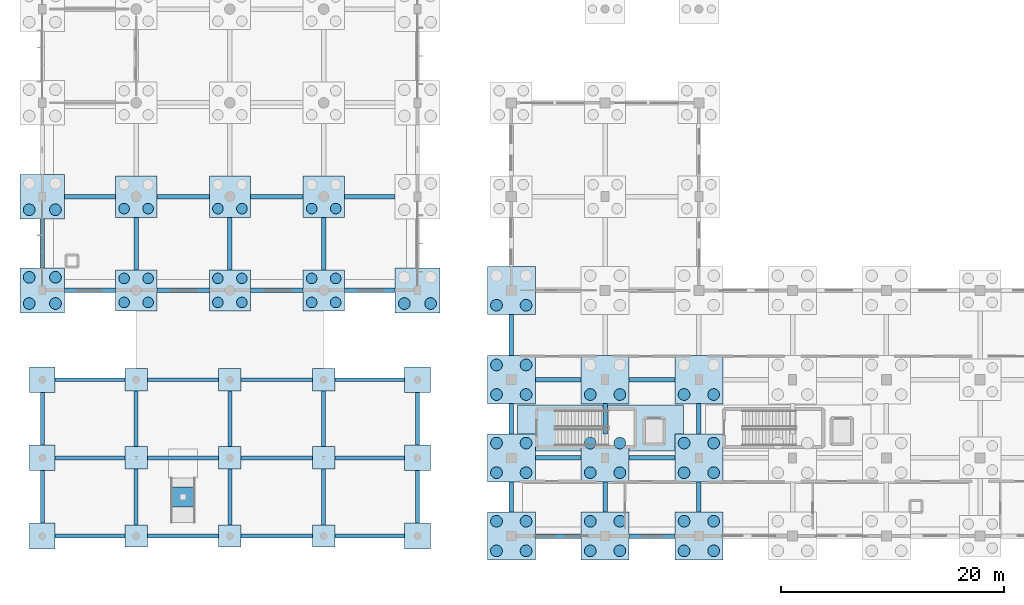
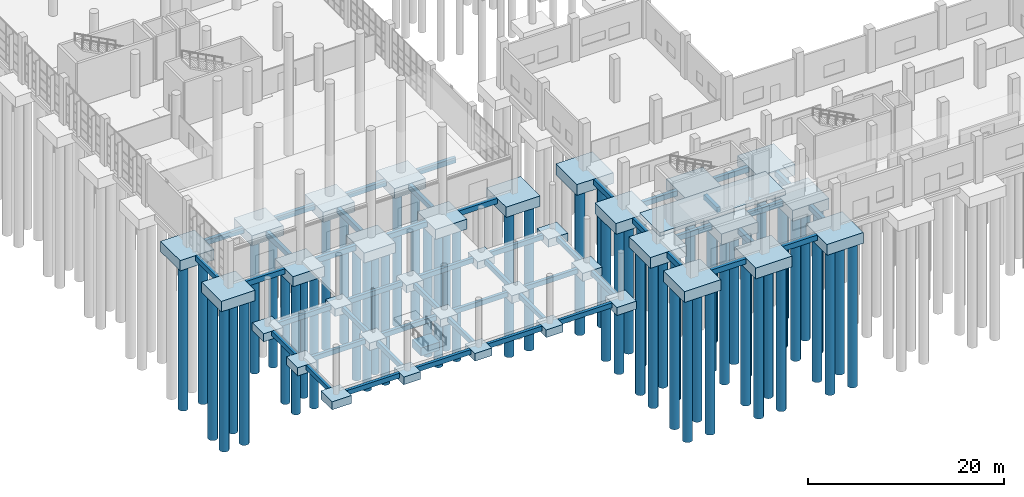
# One storey, part 1 of 83: 83 footings, 60 piles.
"""IFC4 building model written with IfcOpenShell, lengths in metres."""

import ifcopenshell
import ifcopenshell.guid

model = None  # the IFC model being written
_history = None  # IfcOwnerHistory: only IFC2X3 demands one
_inside = {}  # id of a spatial element -> (the spatial element, [elements in it])
_under = {}  # id of a project, library or spatial element -> (it, [spatial elements below it])
_declared = {}  # id of a project -> (the project, [libraries it declares])
_typed = {}  # id of a type object -> (the type object, [elements of that type])
_made_of = {}  # id of a material, layer set ... -> (it, [elements and type objects made of it])


def new_model(schema):
    """Start an empty IFC model of exactly this schema.

    Asked for "IFC4X3", IfcOpenShell would pick the latest addendum, in which some entities
    have other attributes; the version numbers below select the first issue.
    IFC2X3 requires an IfcOwnerHistory on every rooted entity: one is made here for all.
    """
    global model, _history
    if schema == "IFC4X3":
        model = ifcopenshell.file(schema_version=(4, 3, 0, 0))
    else:
        model = ifcopenshell.file(schema=schema)
    _inside.clear()
    _under.clear()
    _declared.clear()
    _typed.clear()
    _made_of.clear()
    _history = None
    if model.schema == "IFC2X3":
        org = make("IfcOrganization", Name="unknown")
        user = make(
            "IfcPersonAndOrganization",
            ThePerson=make("IfcPerson", FamilyName="unknown"),
            TheOrganization=org,
        )
        app = make(
            "IfcApplication",
            ApplicationDeveloper=org,
            Version="unknown",
            ApplicationFullName="unknown",
            ApplicationIdentifier="unknown",
        )
        _history = make(
            "IfcOwnerHistory",
            OwningUser=user,
            OwningApplication=app,
            ChangeAction="ADDED",
            CreationDate=0,
        )
    return model


def make(cls, **values):
    """One entity of the class cls with the attributes given. An attribute that is None is left unset."""
    return model.create_entity(
        cls, **{name: value for name, value in values.items() if value is not None}
    )


def rooted(cls, **values):
    """An entity with a GlobalId (a new one), such as an element, a storey or a relation."""
    return make(cls, GlobalId=ifcopenshell.guid.new(), OwnerHistory=_history, **values)


def si_unit(unit_type, name, prefix=None):
    """IfcSIUnit, for example si_unit("LENGTHUNIT", "METRE", prefix="MILLI")."""
    return make("IfcSIUnit", UnitType=unit_type, Prefix=prefix, Name=name)


def assignment(units):
    """IfcUnitAssignment: the units of a project."""
    return None if units is None else make("IfcUnitAssignment", Units=units)


def point(xyz):
    """IfcCartesianPoint."""
    return None if xyz is None else make("IfcCartesianPoint", Coordinates=xyz)


def direction(xyz):
    """IfcDirection."""
    return None if xyz is None else make("IfcDirection", DirectionRatios=xyz)


def frame(location, z_axis=None, x_axis=None):
    """IfcAxis2Placement3D, a coordinate frame: its origin and axes. An axis left out is left unset."""
    return make(
        "IfcAxis2Placement3D",
        Location=point(location),
        Axis=direction(z_axis),
        RefDirection=direction(x_axis),
    )


def frame_2d(location, x_axis=None):
    """IfcAxis2Placement2D, a coordinate frame in the plane: its origin and x axis."""
    return make(
        "IfcAxis2Placement2D", Location=point(location), RefDirection=direction(x_axis)
    )


def origin():
    """The frame at (0, 0, 0) with its axes left unset."""
    return frame((0.0, 0.0, 0.0))


def origin_2d():
    """The frame at (0, 0) in the plane with its x axis left unset."""
    return frame_2d((0.0, 0.0))


def place(relative_to, where):
    """IfcLocalPlacement: puts the frame where relative to a parent placement (None: the world)."""
    return make(
        "IfcLocalPlacement", PlacementRelTo=relative_to, RelativePlacement=where
    )


def context(
    kind, dimensions, precision=None, world=None, true_north=None, identifier=None
):
    """IfcGeometricRepresentationContext, for example the 3D "Model" context."""
    return make(
        "IfcGeometricRepresentationContext",
        ContextIdentifier=identifier,
        ContextType=kind,
        CoordinateSpaceDimension=dimensions,
        Precision=precision,
        WorldCoordinateSystem=world,
        TrueNorth=true_north,
    )


def subcontext(parent, identifier, kind, view, scale=None):
    """IfcGeometricRepresentationSubContext, for example "Body" below "Model"."""
    return make(
        "IfcGeometricRepresentationSubContext",
        ContextIdentifier=identifier,
        ContextType=kind,
        ParentContext=parent,
        TargetScale=scale,
        TargetView=view,
    )


def project(units=None, contexts=None):
    """IfcProject with its units and contexts."""
    return rooted(
        "IfcProject",
        Name="project",
        RepresentationContexts=contexts,
        UnitsInContext=assignment(units),
    )


def spatial(cls, under=None, at=None, **own):
    """A site, building, storey or space (cls), placed at a placement, below another one or the project."""
    s = rooted(cls, ObjectPlacement=at, **own)
    if under is not None:
        _under.setdefault(under.id(), (under, []))[1].append(s)
    return s


def profile(cls, at=None, kind="AREA", **sizes):
    """A parametric profile (cls). Its sizes go by their IFC names, for example OverallWidth=200.0."""
    return make(cls, ProfileType=kind, Position=at, **sizes)


def rectangle(**sizes):
    """IfcRectangleProfileDef."""
    return profile("IfcRectangleProfileDef", **sizes)


def circle(**sizes):
    """IfcCircleProfileDef."""
    return profile("IfcCircleProfileDef", **sizes)


def extrude(swept, where, along, depth):
    """IfcExtrudedAreaSolid: the profile swept, set in the frame where, extruded along a direction by depth."""
    return make(
        "IfcExtrudedAreaSolid",
        SweptArea=swept,
        Position=where,
        ExtrudedDirection=direction(along),
        Depth=depth,
    )


def shape(context_of_items, identifier, shape_type, items):
    """IfcShapeRepresentation: the items that make up one representation, for example the "Body"."""
    return make(
        "IfcShapeRepresentation",
        ContextOfItems=context_of_items,
        RepresentationIdentifier=identifier,
        RepresentationType=shape_type,
        Items=items,
    )


def material(Name=None, Category=None):
    """IfcMaterial."""
    return make("IfcMaterial", Name=Name, Category=Category)


def material_profile(
    of_material, cross_section, Name=None, Category=None, Priority=None
):
    """IfcMaterialProfile: a cross section and its material."""
    return make(
        "IfcMaterialProfile",
        Name=Name,
        Material=of_material,
        Profile=cross_section,
        Priority=Priority,
        Category=Category,
    )


def profile_set(profiles, Name=None, composite=None):
    """IfcMaterialProfileSet."""
    return make(
        "IfcMaterialProfileSet",
        Name=Name,
        MaterialProfiles=profiles,
        CompositeProfile=composite,
    )


def made_of(thing, what):
    """Note that an element or type object is made of a material, layer set ...; save() writes the relation."""
    if what is not None:
        _made_of.setdefault(what.id(), (what, []))[1].append(thing)
    return thing


def type_object(cls, material=None, **own):
    """A type object (cls), such as IfcWallType, which elements share."""
    return made_of(rooted(cls, **own), material)


def element(
    cls,
    number,
    at=None,
    inside=None,
    cuts=None,
    type_object=None,
    material=None,
    context=None,
    identifier="Body",
    shape_type=None,
    held_by="IfcProductDefinitionShape",
    body=None,
    shapes=None,
    **own,
):
    """One element of the class cls, such as IfcWall. Its Tag is "e" and its number.

    at: its placement. inside: the storey or other place that contains it. cuts: it is an
    opening in that element (IfcRelVoidsElement). A single representation is given by context,
    identifier, shape_type and body (its items); several are given by shapes. held_by: the class
    of the entity that holds the representations. save() writes the other relations.
    """
    e = rooted(cls, Tag="e%d" % number, ObjectPlacement=at, **own)
    if body is not None:
        shapes = [shape(context, identifier, shape_type, body)]
    if shapes is not None:
        e.Representation = make(held_by, Representations=shapes)
    if inside is not None:
        _inside.setdefault(inside.id(), (inside, []))[1].append(e)
    if cuts is not None:
        rooted(
            "IfcRelVoidsElement", RelatingBuildingElement=cuts, RelatedOpeningElement=e
        )
    if type_object is not None:
        _typed.setdefault(type_object.id(), (type_object, []))[1].append(e)
    return made_of(e, material)


def aggregate(whole, parts):
    """IfcRelAggregates: a whole, such as a stair, and the parts it consists of."""
    return rooted("IfcRelAggregates", RelatingObject=whole, RelatedObjects=parts)


def save(model, path):
    """Write the relations noted so far, then the file.

    IfcRelAggregates (storeys below a building ...), IfcRelContainedInSpatialStructure (elements
    in a storey), IfcRelDefinesByType, IfcRelAssociatesMaterial and IfcRelDeclares: one each for
    every whole, place, type object, material and project.
    """
    for whole, parts in _under.values():
        aggregate(whole, parts)
    for where, things in _inside.values():
        rooted(
            "IfcRelContainedInSpatialStructure",
            RelatedElements=things,
            RelatingStructure=where,
        )
    for kind, things in _typed.values():
        rooted("IfcRelDefinesByType", RelatedObjects=things, RelatingType=kind)
    for what, things in _made_of.values():
        rooted("IfcRelAssociatesMaterial", RelatedObjects=things, RelatingMaterial=what)
    for by, libraries in _declared.values():
        rooted("IfcRelDeclares", RelatingContext=by, RelatedDefinitions=libraries)
    model.write(path)


model = new_model("IFC4")

# Units and contexts
model_context = context("Model", 3, precision=1e-05, world=origin(), true_north=direction((0.0, 1.0)))
body_context = subcontext(model_context, "Body", "Model", "MODEL_VIEW")
ifc_project = project(units=[si_unit("LENGTHUNIT", "METRE"), si_unit("AREAUNIT", "SQUARE_METRE"), si_unit("VOLUMEUNIT", "CUBIC_METRE"), si_unit("PLANEANGLEUNIT", "RADIAN"), si_unit("MASSUNIT", "GRAM", prefix="KILO"), si_unit("THERMODYNAMICTEMPERATUREUNIT", "KELVIN"), si_unit("POWERUNIT", "WATT")], contexts=[model_context])

# Site, building, storey
site_placement = place(None, origin())
site = spatial("IfcSite", under=ifc_project, at=site_placement, CompositionType="ELEMENT")
building_placement = place(site_placement, origin())
building = spatial("IfcBuilding", under=site, at=building_placement, Name="Mavoryth Pier Ferry Terminal", CompositionType="ELEMENT")
storey_placement = place(building_placement, origin())
storey = spatial("IfcBuildingStorey", under=building, at=storey_placement, Name="L00", CompositionType="ELEMENT", Elevation=0.0)

# Footings
ifc_material = material(Name="Concrete C35/45", Category="concrete")
footing_type_1 = type_object("IfcFootingType", Name="Cap-4P-3700x3700x1250", PredefinedType="PILE_CAP", material=ifc_material)
for number, where, z_axis, x_axis, name in (
    (1, (8.39990234375, 22.0, -1.7099609375), (0.0, 0.0, 1.0), (1.0, 0.0, 0.0), "Foundation FD-V1-2-1"),
    (2, (8.39990234375, 30.39990234375, -1.7099609375), (0.0, 0.0, 1.0), (1.0, 0.0, 0.0), "Foundation FD-V1-2-2"),
    (3, (16.800048828125, 22.0, -1.7099609375), (0.0, 0.0, 1.0), (1.0, 0.0, 0.0), "Foundation FD-V1-3-1"),
    (4, (16.800048828125, 30.39990234375, -1.7099609375), (0.0, 0.0, 1.0), (1.0, 0.0, 0.0), "Foundation FD-V1-3-2"),
    (5, (25.199951171875, 22.0, -1.7099609375), (0.0, 0.0, 1.0), (1.0, 0.0, 0.0), "Foundation FD-V1-4-1"),
    (6, (25.199951171875, 30.39990234375, -1.7099609375), (0.0, 0.0, 1.0), (1.0, 0.0, 0.0), "Foundation FD-V1-4-2"),
):
    element("IfcFooting", number, at=place(storey_placement, frame(where, z_axis=z_axis, x_axis=x_axis)), inside=storey, type_object=footing_type_1, Name=name, PredefinedType="PILE_CAP", context=body_context, shape_type="SweptSolid", body=[
        extrude(rectangle(XDim=3.699951171875, YDim=3.699951171875, at=origin_2d()), origin(), (0.0, 0.0, 1.0), 1.25),
    ])
footing_type_2 = type_object("IfcFootingType", Name="Cap-4P-4000x4000x1300", PredefinedType="PILE_CAP", material=ifc_material)
for number, where, z_axis, x_axis, name in (
    (7, (0.0, 22.0, -1.76025390625), (0.0, 0.0, 1.0), (1.0, 0.0, 0.0), "Foundation FD-V1-1-1"),
    (8, (0.0, 30.39990234375, -1.76025390625), (0.0, 0.0, 1.0), (1.0, 0.0, 0.0), "Foundation FD-V1-1-2"),
    (9, (33.60009765625, 22.0, -1.76025390625), (0.0, 0.0, 1.0), (1.0, 0.0, 0.0), "Foundation FD-V1-5-1"),
):
    element("IfcFooting", number, at=place(storey_placement, frame(where, z_axis=z_axis, x_axis=x_axis)), inside=storey, type_object=footing_type_2, Name=name, PredefinedType="PILE_CAP", context=body_context, shape_type="SweptSolid", body=[
        extrude(rectangle(XDim=4.0, YDim=4.0, at=origin_2d()), origin(), (0.0, 0.0, 1.0), 1.300048828125),
    ])
footing_type_3 = type_object("IfcFootingType", Name="Cap-4P-4300x4300x1350", PredefinedType="PILE_CAP", material=ifc_material)
for number, where, z_axis, x_axis, name in (
    (10, (42.0, 0.0, -1.81005859375), (0.0, 0.0, 1.0), (1.0, 0.0, 0.0), "Foundation FD-V5-01"),
    (11, (42.0, 7.0, -1.81005859375), (0.0, 0.0, 1.0), (1.0, 0.0, 0.0), "Foundation FD-V5-02"),
    (12, (42.0, 14.0, -1.81005859375), (0.0, 0.0, 1.0), (1.0, 0.0, 0.0), "Foundation FD-V5-03"),
    (13, (42.0, 22.0, -1.81005859375), (0.0, 0.0, 1.0), (1.0, 0.0, 0.0), "Foundation FD-V5-04"),
    (14, (50.39990234375, 0.0, -1.81005859375), (0.0, 0.0, 1.0), (1.0, 0.0, 0.0), "Foundation FD-V5-05"),
    (15, (50.39990234375, 7.0, -1.81005859375), (0.0, 0.0, 1.0), (1.0, 0.0, 0.0), "Foundation FD-V5-06"),
    (16, (50.39990234375, 14.0, -1.81005859375), (0.0, 0.0, 1.0), (1.0, 0.0, 0.0), "Foundation FD-V5-07"),
    (17, (58.800048828125, 0.0, -1.81005859375), (0.0, 0.0, 1.0), (1.0, 0.0, 0.0), "Foundation FD-V5-09"),
    (18, (58.800048828125, 7.0, -1.81005859375), (0.0, 0.0, 1.0), (1.0, 0.0, 0.0), "Foundation FD-V5-10"),
    (19, (58.800048828125, 14.0, -1.81005859375), (0.0, 0.0, 1.0), (1.0, 0.0, 0.0), "Foundation FD-V5-11"),
):
    element("IfcFooting", number, at=place(storey_placement, frame(where, z_axis=z_axis, x_axis=x_axis)), inside=storey, type_object=footing_type_3, Name=name, PredefinedType="PILE_CAP", context=body_context, shape_type="SweptSolid", body=[
        extrude(rectangle(XDim=4.300048828125, YDim=4.300048828125, at=origin_2d()), origin(), (0.0, 0.0, 1.0), 1.35009765625),
    ])
footing_type_4 = type_object("IfcFootingType", Name="Pad-Canopy-2000x2000x950", PredefinedType="PAD_FOOTING", material=ifc_material)
for number, where, z_axis, x_axis, name in (
    (20, (8.39990234375, 0.0, -1.41015625), (0.0, 0.0, 1.0), (1.0, 0.0, 0.0), "Foundation FD-V0-2-1"),
    (21, (8.39990234375, 7.0, -1.41015625), (0.0, 0.0, 1.0), (1.0, 0.0, 0.0), "Foundation FD-V0-2-2"),
    (22, (8.39990234375, 14.0, -1.41015625), (0.0, 0.0, 1.0), (1.0, 0.0, 0.0), "Foundation FD-V0-2-3"),
    (23, (16.800048828125, 0.0, -1.41015625), (0.0, 0.0, 1.0), (1.0, 0.0, 0.0), "Foundation FD-V0-3-1"),
    (24, (16.800048828125, 7.0, -1.41015625), (0.0, 0.0, 1.0), (1.0, 0.0, 0.0), "Foundation FD-V0-3-2"),
    (25, (16.800048828125, 14.0, -1.41015625), (0.0, 0.0, 1.0), (1.0, 0.0, 0.0), "Foundation FD-V0-3-3"),
    (26, (25.199951171875, 0.0, -1.41015625), (0.0, 0.0, 1.0), (1.0, 0.0, 0.0), "Foundation FD-V0-4-1"),
    (27, (25.199951171875, 7.0, -1.41015625), (0.0, 0.0, 1.0), (1.0, 0.0, 0.0), "Foundation FD-V0-4-2"),
    (28, (25.199951171875, 14.0, -1.41015625), (0.0, 0.0, 1.0), (1.0, 0.0, 0.0), "Foundation FD-V0-4-3"),
):
    element("IfcFooting", number, at=place(storey_placement, frame(where, z_axis=z_axis, x_axis=x_axis)), inside=storey, type_object=footing_type_4, Name=name, PredefinedType="PAD_FOOTING", context=body_context, shape_type="SweptSolid", body=[
        extrude(rectangle(XDim=2.0, YDim=2.0, at=origin_2d()), origin(), (0.0, 0.0, 1.0), 0.949951171875),
    ])
footing_type_5 = type_object("IfcFootingType", Name="Pad-Canopy-2300x2300x1000", PredefinedType="PAD_FOOTING", material=ifc_material)
for number, where, z_axis, x_axis, name in (
    (29, (0.0, 0.0, -1.4599609375), (0.0, 0.0, 1.0), (1.0, 0.0, 0.0), "Foundation FD-V0-1-1"),
    (30, (0.0, 7.0, -1.4599609375), (0.0, 0.0, 1.0), (1.0, 0.0, 0.0), "Foundation FD-V0-1-2"),
    (31, (0.0, 14.0, -1.4599609375), (0.0, 0.0, 1.0), (1.0, 0.0, 0.0), "Foundation FD-V0-1-3"),
    (32, (33.60009765625, 0.0, -1.4599609375), (0.0, 0.0, 1.0), (1.0, 0.0, 0.0), "Foundation FD-V0-5-1"),
    (33, (33.60009765625, 7.0, -1.4599609375), (0.0, 0.0, 1.0), (1.0, 0.0, 0.0), "Foundation FD-V0-5-2"),
    (34, (33.60009765625, 14.0, -1.4599609375), (0.0, 0.0, 1.0), (1.0, 0.0, 0.0), "Foundation FD-V0-5-3"),
):
    element("IfcFooting", number, at=place(storey_placement, frame(where, z_axis=z_axis, x_axis=x_axis)), inside=storey, type_object=footing_type_5, Name=name, PredefinedType="PAD_FOOTING", context=body_context, shape_type="SweptSolid", body=[
        extrude(rectangle(XDim=2.300048828125, YDim=2.300048828125, at=origin_2d()), origin(), (0.0, 0.0, 1.0), 1.0),
    ])
footing_type_6 = type_object("IfcFootingType", Name="Pad-CoreMat-14840x4100x460", PredefinedType="PAD_FOOTING", material=ifc_material)
footing_1_placement = place(storey_placement, frame((50.0, 9.675048828125, -0.4599609375), z_axis=(0.0, 0.0, 1.0), x_axis=(1.0, 0.0, 0.0)))
element("IfcFooting", 35, at=footing_1_placement, inside=storey, type_object=footing_type_6, Name="Core Foundation Mat C5A", PredefinedType="PAD_FOOTING", context=body_context, shape_type="SweptSolid", body=[
    extrude(rectangle(XDim=14.840087890625, YDim=4.10009765625, at=origin_2d()), origin(), (0.0, 0.0, 1.0), 0.4599609375),
])
footing_type_7 = type_object("IfcFootingType", Name="Pad-Ramp-2200x1800x1000", PredefinedType="PAD_FOOTING", material=ifc_material)
footing_2_placement = place(storey_placement, frame((12.60009765625, 3.5, -1.4599609375), z_axis=(0.0, 0.0, 1.0), x_axis=(1.0, 0.0, 0.0)))
element("IfcFooting", 36, at=footing_2_placement, inside=storey, type_object=footing_type_7, Name="Foundation FD-V0-SIGN", PredefinedType="PAD_FOOTING", context=body_context, shape_type="SweptSolid", body=[
    extrude(rectangle(XDim=2.199951171875, YDim=1.800048828125, at=origin_2d()), origin(), (0.0, 0.0, 1.0), 1.0),
])

# Piles
ifc_material_profile_1 = material_profile(ifc_material, circle(Radius=0.52490234375, at=origin_2d()), Name="PILE D1050", Category="concrete")
ifc_profile_set_1 = profile_set([ifc_material_profile_1], Name="Concrete C35/45 - PILE D1050")
pile_type_1 = type_object("IfcPileType", Name="Pile-Bored-D1050", PredefinedType="BORED", material=ifc_profile_set_1)
for number, where, z_axis, x_axis, name in (
    (37, (-1.175048828125, 20.824951171875, -1.659912109375), (0.0, 0.0, -1.0), (1.0, 0.0, 0.0), "Bored Pile FD-V1-1-1-P1"),
    (38, (1.175048828125, 20.824951171875, -1.659912109375), (0.0, 0.0, -1.0), (1.0, 0.0, 0.0), "Bored Pile FD-V1-1-1-P2"),
    (39, (-1.175048828125, 23.175048828125, -1.659912109375), (0.0, 0.0, -1.0), (1.0, 0.0, 0.0), "Bored Pile FD-V1-1-1-P3"),
    (40, (1.175048828125, 23.175048828125, -1.659912109375), (0.0, 0.0, -1.0), (1.0, 0.0, 0.0), "Bored Pile FD-V1-1-1-P4"),
    (41, (-1.175048828125, 29.22509765625, -1.659912109375), (0.0, 0.0, -1.0), (1.0, 0.0, 0.0), "Bored Pile FD-V1-1-2-P1"),
    (42, (1.175048828125, 29.22509765625, -1.659912109375), (0.0, 0.0, -1.0), (1.0, 0.0, 0.0), "Bored Pile FD-V1-1-2-P2"),
    (43, (32.425048828125, 20.824951171875, -1.659912109375), (0.0, 0.0, -1.0), (1.0, 0.0, 0.0), "Bored Pile FD-V1-5-1-P1"),
    (44, (34.77490234375, 20.824951171875, -1.659912109375), (0.0, 0.0, -1.0), (1.0, 0.0, 0.0), "Bored Pile FD-V1-5-1-P2"),
    (45, (40.675048828125, -1.324951171875, -1.7099609375), (0.0, 0.0, -1.0), (1.0, 0.0, 0.0), "Bored Pile FD-V5-01-P1"),
    (46, (43.324951171875, -1.324951171875, -1.7099609375), (0.0, 0.0, -1.0), (1.0, 0.0, 0.0), "Bored Pile FD-V5-01-P2"),
    (47, (40.675048828125, 1.324951171875, -1.7099609375), (0.0, 0.0, -1.0), (1.0, 0.0, 0.0), "Bored Pile FD-V5-01-P3"),
    (48, (43.324951171875, 1.324951171875, -1.7099609375), (0.0, 0.0, -1.0), (1.0, 0.0, 0.0), "Bored Pile FD-V5-01-P4"),
    (49, (40.675048828125, 5.675048828125, -1.7099609375), (0.0, 0.0, -1.0), (1.0, 0.0, 0.0), "Bored Pile FD-V5-02-P1"),
    (50, (43.324951171875, 5.675048828125, -1.7099609375), (0.0, 0.0, -1.0), (1.0, 0.0, 0.0), "Bored Pile FD-V5-02-P2"),
    (51, (40.675048828125, 8.324951171875, -1.7099609375), (0.0, 0.0, -1.0), (1.0, 0.0, 0.0), "Bored Pile FD-V5-02-P3"),
    (52, (43.324951171875, 8.324951171875, -1.7099609375), (0.0, 0.0, -1.0), (1.0, 0.0, 0.0), "Bored Pile FD-V5-02-P4"),
    (53, (40.675048828125, 12.675048828125, -1.7099609375), (0.0, 0.0, -1.0), (1.0, 0.0, 0.0), "Bored Pile FD-V5-03-P1"),
    (54, (43.324951171875, 12.675048828125, -1.7099609375), (0.0, 0.0, -1.0), (1.0, 0.0, 0.0), "Bored Pile FD-V5-03-P2"),
    (55, (40.675048828125, 15.324951171875, -1.7099609375), (0.0, 0.0, -1.0), (1.0, 0.0, 0.0), "Bored Pile FD-V5-03-P3"),
    (56, (43.324951171875, 15.324951171875, -1.7099609375), (0.0, 0.0, -1.0), (1.0, 0.0, 0.0), "Bored Pile FD-V5-03-P4"),
    (57, (40.675048828125, 20.675048828125, -1.7099609375), (0.0, 0.0, -1.0), (1.0, 0.0, 0.0), "Bored Pile FD-V5-04-P1"),
    (58, (43.324951171875, 20.675048828125, -1.7099609375), (0.0, 0.0, -1.0), (1.0, 0.0, 0.0), "Bored Pile FD-V5-04-P2"),
    (59, (49.074951171875, -1.324951171875, -1.7099609375), (0.0, 0.0, -1.0), (1.0, 0.0, 0.0), "Bored Pile FD-V5-05-P1"),
    (60, (51.72509765625, -1.324951171875, -1.7099609375), (0.0, 0.0, -1.0), (1.0, 0.0, 0.0), "Bored Pile FD-V5-05-P2"),
    (61, (49.074951171875, 1.324951171875, -1.7099609375), (0.0, 0.0, -1.0), (1.0, 0.0, 0.0), "Bored Pile FD-V5-05-P3"),
    (62, (51.72509765625, 1.324951171875, -1.7099609375), (0.0, 0.0, -1.0), (1.0, 0.0, 0.0), "Bored Pile FD-V5-05-P4"),
    (63, (49.074951171875, 5.675048828125, -1.7099609375), (0.0, 0.0, -1.0), (1.0, 0.0, 0.0), "Bored Pile FD-V5-06-P1"),
    (64, (51.72509765625, 5.675048828125, -1.7099609375), (0.0, 0.0, -1.0), (1.0, 0.0, 0.0), "Bored Pile FD-V5-06-P2"),
    (65, (49.074951171875, 8.324951171875, -1.7099609375), (0.0, 0.0, -1.0), (1.0, 0.0, 0.0), "Bored Pile FD-V5-06-P3"),
    (66, (51.72509765625, 8.324951171875, -1.7099609375), (0.0, 0.0, -1.0), (1.0, 0.0, 0.0), "Bored Pile FD-V5-06-P4"),
    (67, (49.074951171875, 12.675048828125, -1.7099609375), (0.0, 0.0, -1.0), (1.0, 0.0, 0.0), "Bored Pile FD-V5-07-P1"),
    (68, (51.72509765625, 12.675048828125, -1.7099609375), (0.0, 0.0, -1.0), (1.0, 0.0, 0.0), "Bored Pile FD-V5-07-P2"),
    (69, (57.47509765625, -1.324951171875, -1.7099609375), (0.0, 0.0, -1.0), (1.0, 0.0, 0.0), "Bored Pile FD-V5-09-P1"),
    (70, (60.125, -1.324951171875, -1.7099609375), (0.0, 0.0, -1.0), (1.0, 0.0, 0.0), "Bored Pile FD-V5-09-P2"),
    (71, (57.47509765625, 1.324951171875, -1.7099609375), (0.0, 0.0, -1.0), (1.0, 0.0, 0.0), "Bored Pile FD-V5-09-P3"),
    (72, (60.125, 1.324951171875, -1.7099609375), (0.0, 0.0, -1.0), (1.0, 0.0, 0.0), "Bored Pile FD-V5-09-P4"),
    (73, (57.47509765625, 5.675048828125, -1.7099609375), (0.0, 0.0, -1.0), (1.0, 0.0, 0.0), "Bored Pile FD-V5-10-P1"),
    (74, (60.125, 5.675048828125, -1.7099609375), (0.0, 0.0, -1.0), (1.0, 0.0, 0.0), "Bored Pile FD-V5-10-P2"),
    (75, (57.47509765625, 8.324951171875, -1.7099609375), (0.0, 0.0, -1.0), (1.0, 0.0, 0.0), "Bored Pile FD-V5-10-P3"),
    (76, (60.125, 8.324951171875, -1.7099609375), (0.0, 0.0, -1.0), (1.0, 0.0, 0.0), "Bored Pile FD-V5-10-P4"),
    (77, (57.47509765625, 12.675048828125, -1.7099609375), (0.0, 0.0, -1.0), (1.0, 0.0, 0.0), "Bored Pile FD-V5-11-P1"),
    (78, (60.125, 12.675048828125, -1.7099609375), (0.0, 0.0, -1.0), (1.0, 0.0, 0.0), "Bored Pile FD-V5-11-P2"),
):
    element("IfcPile", number, at=place(storey_placement, frame(where, z_axis=z_axis, x_axis=x_axis)), inside=storey, type_object=pile_type_1, Name=name, PredefinedType="BORED", context=body_context, shape_type="SweptSolid", body=[
        extrude(circle(Radius=0.52490234375, at=origin_2d()), origin(), (0.0, 0.0, 1.0), 18.0),
    ])
ifc_material_profile_2 = material_profile(ifc_material, circle(Radius=0.47509765625, at=origin_2d()), Name="PILE D950", Category="concrete")
ifc_profile_set_2 = profile_set([ifc_material_profile_2], Name="Concrete C35/45 - PILE D950")
pile_type_2 = type_object("IfcPileType", Name="Pile-Bored-D950", PredefinedType="BORED", material=ifc_profile_set_2)
for number, where, z_axis, x_axis, name in (
    (79, (7.324951171875, 20.925048828125, -1.610107421875), (0.0, 0.0, -1.0), (1.0, 0.0, 0.0), "Bored Pile FD-V1-2-1-P1"),
    (80, (9.47509765625, 20.925048828125, -1.610107421875), (0.0, 0.0, -1.0), (1.0, 0.0, 0.0), "Bored Pile FD-V1-2-1-P2"),
    (81, (7.324951171875, 23.074951171875, -1.610107421875), (0.0, 0.0, -1.0), (1.0, 0.0, 0.0), "Bored Pile FD-V1-2-1-P3"),
    (82, (9.47509765625, 23.074951171875, -1.610107421875), (0.0, 0.0, -1.0), (1.0, 0.0, 0.0), "Bored Pile FD-V1-2-1-P4"),
    (83, (7.324951171875, 29.324951171875, -1.610107421875), (0.0, 0.0, -1.0), (1.0, 0.0, 0.0), "Bored Pile FD-V1-2-2-P1"),
    (84, (9.47509765625, 29.324951171875, -1.610107421875), (0.0, 0.0, -1.0), (1.0, 0.0, 0.0), "Bored Pile FD-V1-2-2-P2"),
    (85, (15.72509765625, 20.925048828125, -1.610107421875), (0.0, 0.0, -1.0), (1.0, 0.0, 0.0), "Bored Pile FD-V1-3-1-P1"),
    (86, (17.875, 20.925048828125, -1.610107421875), (0.0, 0.0, -1.0), (1.0, 0.0, 0.0), "Bored Pile FD-V1-3-1-P2"),
    (87, (15.72509765625, 23.074951171875, -1.610107421875), (0.0, 0.0, -1.0), (1.0, 0.0, 0.0), "Bored Pile FD-V1-3-1-P3"),
    (88, (17.875, 23.074951171875, -1.610107421875), (0.0, 0.0, -1.0), (1.0, 0.0, 0.0), "Bored Pile FD-V1-3-1-P4"),
    (89, (15.72509765625, 29.324951171875, -1.610107421875), (0.0, 0.0, -1.0), (1.0, 0.0, 0.0), "Bored Pile FD-V1-3-2-P1"),
    (90, (17.875, 29.324951171875, -1.610107421875), (0.0, 0.0, -1.0), (1.0, 0.0, 0.0), "Bored Pile FD-V1-3-2-P2"),
    (91, (24.125, 20.925048828125, -1.610107421875), (0.0, 0.0, -1.0), (1.0, 0.0, 0.0), "Bored Pile FD-V1-4-1-P1"),
    (92, (26.27490234375, 20.925048828125, -1.610107421875), (0.0, 0.0, -1.0), (1.0, 0.0, 0.0), "Bored Pile FD-V1-4-1-P2"),
    (93, (24.125, 23.074951171875, -1.610107421875), (0.0, 0.0, -1.0), (1.0, 0.0, 0.0), "Bored Pile FD-V1-4-1-P3"),
    (94, (26.27490234375, 23.074951171875, -1.610107421875), (0.0, 0.0, -1.0), (1.0, 0.0, 0.0), "Bored Pile FD-V1-4-1-P4"),
    (95, (24.125, 29.324951171875, -1.610107421875), (0.0, 0.0, -1.0), (1.0, 0.0, 0.0), "Bored Pile FD-V1-4-2-P1"),
    (96, (26.27490234375, 29.324951171875, -1.610107421875), (0.0, 0.0, -1.0), (1.0, 0.0, 0.0), "Bored Pile FD-V1-4-2-P2"),
):
    element("IfcPile", number, at=place(storey_placement, frame(where, z_axis=z_axis, x_axis=x_axis)), inside=storey, type_object=pile_type_2, Name=name, PredefinedType="BORED", context=body_context, shape_type="SweptSolid", body=[
        extrude(circle(Radius=0.47509765625, at=origin_2d()), origin(), (0.0, 0.0, 1.0), 16.5),
    ])

# Footings
ifc_material_profile_3 = material_profile(ifc_material, rectangle(XDim=0.35009765625, YDim=0.60009765625, at=origin_2d()), Name="RC 350x600", Category="concrete")
ifc_profile_set_3 = profile_set([ifc_material_profile_3], Name="Concrete C35/45 - RC 350x600")
footing_type_8 = type_object("IfcFootingType", Name="TieBeam-RC-350x600", PredefinedType="FOOTING_BEAM", material=ifc_profile_set_3)
footing_3_placement = place(storey_placement, frame((1.14990234375, 0.0, -0.760009765625), z_axis=(1.0, 0.0, 0.0), x_axis=(0.0, 1.0, 0.0)))
element("IfcFooting", 97, at=footing_3_placement, inside=storey, type_object=footing_type_8, Name="Footing Tie Beam 1", PredefinedType="FOOTING_BEAM", context=body_context, shape_type="SweptSolid", body=[
    extrude(rectangle(XDim=0.35009765625, YDim=0.60009765625, at=origin_2d()), origin(), (0.0, 0.0, 1.0), 6.25),
])
footing_4_placement = place(storey_placement, frame((9.39990234375, 0.0, -0.760009765625), z_axis=(1.0, 0.0, 0.0), x_axis=(0.0, 1.0, 0.0)))
element("IfcFooting", 98, at=footing_4_placement, inside=storey, type_object=footing_type_8, Name="Footing Tie Beam 2", PredefinedType="FOOTING_BEAM", context=body_context, shape_type="SweptSolid", body=[
    extrude(rectangle(XDim=0.35009765625, YDim=0.60009765625, at=origin_2d()), origin(), (0.0, 0.0, 1.0), 6.400146484375),
])
footing_5_placement = place(storey_placement, frame((17.800048828125, 0.0, -0.760009765625), z_axis=(1.0, 0.0, 0.0), x_axis=(0.0, 1.0, 0.0)))
element("IfcFooting", 99, at=footing_5_placement, inside=storey, type_object=footing_type_8, Name="Footing Tie Beam 3", PredefinedType="FOOTING_BEAM", context=body_context, shape_type="SweptSolid", body=[
    extrude(rectangle(XDim=0.35009765625, YDim=0.60009765625, at=origin_2d()), origin(), (0.0, 0.0, 1.0), 6.39990234375),
])
for number, where, z_axis, x_axis, name in (
    (100, (26.199951171875, 0.0, -0.760009765625), (1.0, 0.0, 0.0), (0.0, 1.0, 0.0), "Footing Tie Beam 4"),
    (101, (1.14990234375, 7.0, -0.760009765625), (1.0, 0.0, 0.0), (0.0, 1.0, 0.0), "Footing Tie Beam 5"),
):
    element("IfcFooting", number, at=place(storey_placement, frame(where, z_axis=z_axis, x_axis=x_axis)), inside=storey, type_object=footing_type_8, Name=name, PredefinedType="FOOTING_BEAM", context=body_context, shape_type="SweptSolid", body=[
        extrude(rectangle(XDim=0.35009765625, YDim=0.60009765625, at=origin_2d()), origin(), (0.0, 0.0, 1.0), 6.25),
    ])
footing_6_placement = place(storey_placement, frame((9.39990234375, 7.0, -0.760009765625), z_axis=(1.0, 0.0, 0.0), x_axis=(0.0, 1.0, 0.0)))
element("IfcFooting", 102, at=footing_6_placement, inside=storey, type_object=footing_type_8, Name="Footing Tie Beam 6", PredefinedType="FOOTING_BEAM", context=body_context, shape_type="SweptSolid", body=[
    extrude(rectangle(XDim=0.35009765625, YDim=0.60009765625, at=origin_2d()), origin(), (0.0, 0.0, 1.0), 6.400146484375),
])
footing_7_placement = place(storey_placement, frame((17.800048828125, 7.0, -0.760009765625), z_axis=(1.0, 0.0, 0.0), x_axis=(0.0, 1.0, 0.0)))
element("IfcFooting", 103, at=footing_7_placement, inside=storey, type_object=footing_type_8, Name="Footing Tie Beam 7", PredefinedType="FOOTING_BEAM", context=body_context, shape_type="SweptSolid", body=[
    extrude(rectangle(XDim=0.35009765625, YDim=0.60009765625, at=origin_2d()), origin(), (0.0, 0.0, 1.0), 6.39990234375),
])
for number, where, z_axis, x_axis, name in (
    (104, (26.199951171875, 7.0, -0.760009765625), (1.0, 0.0, 0.0), (0.0, 1.0, 0.0), "Footing Tie Beam 8"),
    (105, (1.14990234375, 14.0, -0.760009765625), (1.0, 0.0, 0.0), (0.0, 1.0, 0.0), "Footing Tie Beam 9"),
):
    element("IfcFooting", number, at=place(storey_placement, frame(where, z_axis=z_axis, x_axis=x_axis)), inside=storey, type_object=footing_type_8, Name=name, PredefinedType="FOOTING_BEAM", context=body_context, shape_type="SweptSolid", body=[
        extrude(rectangle(XDim=0.35009765625, YDim=0.60009765625, at=origin_2d()), origin(), (0.0, 0.0, 1.0), 6.25),
    ])
footing_8_placement = place(storey_placement, frame((9.39990234375, 14.0, -0.760009765625), z_axis=(1.0, 0.0, 0.0), x_axis=(0.0, 1.0, 0.0)))
element("IfcFooting", 106, at=footing_8_placement, inside=storey, type_object=footing_type_8, Name="Footing Tie Beam 10", PredefinedType="FOOTING_BEAM", context=body_context, shape_type="SweptSolid", body=[
    extrude(rectangle(XDim=0.35009765625, YDim=0.60009765625, at=origin_2d()), origin(), (0.0, 0.0, 1.0), 6.400146484375),
])
footing_9_placement = place(storey_placement, frame((17.800048828125, 14.0, -0.760009765625), z_axis=(1.0, 0.0, 0.0), x_axis=(0.0, 1.0, 0.0)))
element("IfcFooting", 107, at=footing_9_placement, inside=storey, type_object=footing_type_8, Name="Footing Tie Beam 11", PredefinedType="FOOTING_BEAM", context=body_context, shape_type="SweptSolid", body=[
    extrude(rectangle(XDim=0.35009765625, YDim=0.60009765625, at=origin_2d()), origin(), (0.0, 0.0, 1.0), 6.39990234375),
])
footing_10_placement = place(storey_placement, frame((26.199951171875, 14.0, -0.760009765625), z_axis=(1.0, 0.0, 0.0), x_axis=(0.0, 1.0, 0.0)))
element("IfcFooting", 108, at=footing_10_placement, inside=storey, type_object=footing_type_8, Name="Footing Tie Beam 12", PredefinedType="FOOTING_BEAM", context=body_context, shape_type="SweptSolid", body=[
    extrude(rectangle(XDim=0.35009765625, YDim=0.60009765625, at=origin_2d()), origin(), (0.0, 0.0, 1.0), 6.25),
])
for number, where, z_axis, x_axis, name in (
    (109, (0.0, 1.14990234375, -0.760009765625), (0.0, 1.0, 0.0), (-1.0, 0.0, 0.0), "Footing Tie Beam 13"),
    (110, (0.0, 8.14990234375, -0.760009765625), (0.0, 1.0, 0.0), (-1.0, 0.0, 0.0), "Footing Tie Beam 14"),
):
    element("IfcFooting", number, at=place(storey_placement, frame(where, z_axis=z_axis, x_axis=x_axis)), inside=storey, type_object=footing_type_8, Name=name, PredefinedType="FOOTING_BEAM", context=body_context, shape_type="SweptSolid", body=[
        extrude(rectangle(XDim=0.35009765625, YDim=0.60009765625, at=origin_2d()), origin(), (0.0, 0.0, 1.0), 4.7001953125),
    ])
for number, where, z_axis, x_axis, name in (
    (111, (8.39990234375, 1.0, -0.760009765625), (0.0, 1.0, 0.0), (-1.0, 0.0, 0.0), "Footing Tie Beam 15"),
    (112, (8.39990234375, 8.0, -0.760009765625), (0.0, 1.0, 0.0), (-1.0, 0.0, 0.0), "Footing Tie Beam 16"),
    (113, (16.800048828125, 1.0, -0.760009765625), (0.0, 1.0, 0.0), (-1.0, 0.0, 0.0), "Footing Tie Beam 17"),
    (114, (16.800048828125, 8.0, -0.760009765625), (0.0, 1.0, 0.0), (-1.0, 0.0, 0.0), "Footing Tie Beam 18"),
    (115, (25.199951171875, 1.0, -0.760009765625), (0.0, 1.0, 0.0), (-1.0, 0.0, 0.0), "Footing Tie Beam 19"),
    (116, (25.199951171875, 8.0, -0.760009765625), (0.0, 1.0, 0.0), (-1.0, 0.0, 0.0), "Footing Tie Beam 20"),
):
    element("IfcFooting", number, at=place(storey_placement, frame(where, z_axis=z_axis, x_axis=x_axis)), inside=storey, type_object=footing_type_8, Name=name, PredefinedType="FOOTING_BEAM", context=body_context, shape_type="SweptSolid", body=[
        extrude(rectangle(XDim=0.35009765625, YDim=0.60009765625, at=origin_2d()), origin(), (0.0, 0.0, 1.0), 5.0),
    ])
for number, where, z_axis, x_axis, name in (
    (117, (33.60009765625, 1.14990234375, -0.760009765625), (0.0, 1.0, 0.0), (-1.0, 0.0, 0.0), "Footing Tie Beam 21"),
    (118, (33.60009765625, 8.14990234375, -0.760009765625), (0.0, 1.0, 0.0), (-1.0, 0.0, 0.0), "Footing Tie Beam 22"),
):
    element("IfcFooting", number, at=place(storey_placement, frame(where, z_axis=z_axis, x_axis=x_axis)), inside=storey, type_object=footing_type_8, Name=name, PredefinedType="FOOTING_BEAM", context=body_context, shape_type="SweptSolid", body=[
        extrude(rectangle(XDim=0.35009765625, YDim=0.60009765625, at=origin_2d()), origin(), (0.0, 0.0, 1.0), 4.7001953125),
    ])
ifc_material_profile_4 = material_profile(ifc_material, rectangle(XDim=0.39990234375, YDim=0.64990234375, at=origin_2d()), Name="RC 400x650", Category="concrete")
ifc_profile_set_4 = profile_set([ifc_material_profile_4], Name="Concrete C35/45 - RC 400x650")
footing_type_9 = type_object("IfcFootingType", Name="TieBeam-RC-400x650", PredefinedType="FOOTING_BEAM", material=ifc_profile_set_4)
footing_11_placement = place(storey_placement, frame((2.0, 22.0, -0.784912109375), z_axis=(1.0, 0.0, 0.0), x_axis=(0.0, 1.0, 0.0)))
element("IfcFooting", 119, at=footing_11_placement, inside=storey, type_object=footing_type_9, Name="Footing Tie Beam 23", PredefinedType="FOOTING_BEAM", context=body_context, shape_type="SweptSolid", body=[
    extrude(rectangle(XDim=0.39990234375, YDim=0.64990234375, at=origin_2d()), origin(), (0.0, 0.0, 1.0), 4.550048828125),
])
footing_12_placement = place(storey_placement, frame((10.25, 22.0, -0.784912109375), z_axis=(1.0, 0.0, 0.0), x_axis=(0.0, 1.0, 0.0)))
element("IfcFooting", 120, at=footing_12_placement, inside=storey, type_object=footing_type_9, Name="Footing Tie Beam 24", PredefinedType="FOOTING_BEAM", context=body_context, shape_type="SweptSolid", body=[
    extrude(rectangle(XDim=0.39990234375, YDim=0.64990234375, at=origin_2d()), origin(), (0.0, 0.0, 1.0), 4.699951171875),
])
footing_13_placement = place(storey_placement, frame((18.64990234375, 22.0, -0.784912109375), z_axis=(1.0, 0.0, 0.0), x_axis=(0.0, 1.0, 0.0)))
element("IfcFooting", 121, at=footing_13_placement, inside=storey, type_object=footing_type_9, Name="Footing Tie Beam 25", PredefinedType="FOOTING_BEAM", context=body_context, shape_type="SweptSolid", body=[
    extrude(rectangle(XDim=0.39990234375, YDim=0.64990234375, at=origin_2d()), origin(), (0.0, 0.0, 1.0), 4.7001953125),
])
for number, where, z_axis, x_axis, name in (
    (122, (27.050048828125, 22.0, -0.784912109375), (1.0, 0.0, 0.0), (0.0, 1.0, 0.0), "Footing Tie Beam 26"),
    (123, (2.0, 30.39990234375, -0.784912109375), (1.0, 0.0, 0.0), (0.0, 1.0, 0.0), "Footing Tie Beam 27"),
):
    element("IfcFooting", number, at=place(storey_placement, frame(where, z_axis=z_axis, x_axis=x_axis)), inside=storey, type_object=footing_type_9, Name=name, PredefinedType="FOOTING_BEAM", context=body_context, shape_type="SweptSolid", body=[
        extrude(rectangle(XDim=0.39990234375, YDim=0.64990234375, at=origin_2d()), origin(), (0.0, 0.0, 1.0), 4.550048828125),
    ])
footing_14_placement = place(storey_placement, frame((10.25, 30.39990234375, -0.784912109375), z_axis=(1.0, 0.0, 0.0), x_axis=(0.0, 1.0, 0.0)))
element("IfcFooting", 124, at=footing_14_placement, inside=storey, type_object=footing_type_9, Name="Footing Tie Beam 28", PredefinedType="FOOTING_BEAM", context=body_context, shape_type="SweptSolid", body=[
    extrude(rectangle(XDim=0.39990234375, YDim=0.64990234375, at=origin_2d()), origin(), (0.0, 0.0, 1.0), 4.699951171875),
])
footing_15_placement = place(storey_placement, frame((18.64990234375, 30.39990234375, -0.784912109375), z_axis=(1.0, 0.0, 0.0), x_axis=(0.0, 1.0, 0.0)))
element("IfcFooting", 125, at=footing_15_placement, inside=storey, type_object=footing_type_9, Name="Footing Tie Beam 29", PredefinedType="FOOTING_BEAM", context=body_context, shape_type="SweptSolid", body=[
    extrude(rectangle(XDim=0.39990234375, YDim=0.64990234375, at=origin_2d()), origin(), (0.0, 0.0, 1.0), 4.7001953125),
])
footing_16_placement = place(storey_placement, frame((27.050048828125, 30.39990234375, -0.784912109375), z_axis=(1.0, 0.0, 0.0), x_axis=(0.0, 1.0, 0.0)))
element("IfcFooting", 126, at=footing_16_placement, inside=storey, type_object=footing_type_9, Name="Footing Tie Beam 30", PredefinedType="FOOTING_BEAM", context=body_context, shape_type="SweptSolid", body=[
    extrude(rectangle(XDim=0.39990234375, YDim=0.64990234375, at=origin_2d()), origin(), (0.0, 0.0, 1.0), 4.550048828125),
])
footing_17_placement = place(storey_placement, frame((0.0, 24.0, -0.784912109375), z_axis=(0.0, 1.0, 0.0), x_axis=(-1.0, 0.0, 0.0)))
element("IfcFooting", 127, at=footing_17_placement, inside=storey, type_object=footing_type_9, Name="Footing Tie Beam 71", PredefinedType="FOOTING_BEAM", context=body_context, shape_type="SweptSolid", body=[
    extrude(rectangle(XDim=0.39990234375, YDim=0.64990234375, at=origin_2d()), origin(), (0.0, 0.0, 1.0), 4.39990234375),
])
for number, where, z_axis, x_axis, name in (
    (128, (8.39990234375, 23.85009765625, -0.784912109375), (0.0, 1.0, 0.0), (-1.0, 0.0, 0.0), "Footing Tie Beam 82"),
    (129, (16.800048828125, 23.85009765625, -0.784912109375), (0.0, 1.0, 0.0), (-1.0, 0.0, 0.0), "Footing Tie Beam 93"),
    (130, (25.199951171875, 23.85009765625, -0.784912109375), (0.0, 1.0, 0.0), (-1.0, 0.0, 0.0), "Footing Tie Beam 104"),
):
    element("IfcFooting", number, at=place(storey_placement, frame(where, z_axis=z_axis, x_axis=x_axis)), inside=storey, type_object=footing_type_9, Name=name, PredefinedType="FOOTING_BEAM", context=body_context, shape_type="SweptSolid", body=[
        extrude(rectangle(XDim=0.39990234375, YDim=0.64990234375, at=origin_2d()), origin(), (0.0, 0.0, 1.0), 4.699951171875),
    ])
footing_18_placement = place(storey_placement, frame((44.14990234375, 0.0, -0.784912109375), z_axis=(1.0, 0.0, 0.0), x_axis=(0.0, 1.0, 0.0)))
element("IfcFooting", 131, at=footing_18_placement, inside=storey, type_object=footing_type_9, Name="Footing Tie Beam 319", PredefinedType="FOOTING_BEAM", context=body_context, shape_type="SweptSolid", body=[
    extrude(rectangle(XDim=0.39990234375, YDim=0.64990234375, at=origin_2d()), origin(), (0.0, 0.0, 1.0), 4.10009765625),
])
footing_19_placement = place(storey_placement, frame((52.550048828125, 0.0, -0.784912109375), z_axis=(1.0, 0.0, 0.0), x_axis=(0.0, 1.0, 0.0)))
element("IfcFooting", 132, at=footing_19_placement, inside=storey, type_object=footing_type_9, Name="Footing Tie Beam 320", PredefinedType="FOOTING_BEAM", context=body_context, shape_type="SweptSolid", body=[
    extrude(rectangle(XDim=0.39990234375, YDim=0.64990234375, at=origin_2d()), origin(), (0.0, 0.0, 1.0), 4.099853515625),
])
footing_20_placement = place(storey_placement, frame((44.14990234375, 7.0, -0.784912109375), z_axis=(1.0, 0.0, 0.0), x_axis=(0.0, 1.0, 0.0)))
element("IfcFooting", 133, at=footing_20_placement, inside=storey, type_object=footing_type_9, Name="Footing Tie Beam 325", PredefinedType="FOOTING_BEAM", context=body_context, shape_type="SweptSolid", body=[
    extrude(rectangle(XDim=0.39990234375, YDim=0.64990234375, at=origin_2d()), origin(), (0.0, 0.0, 1.0), 4.10009765625),
])
footing_21_placement = place(storey_placement, frame((52.550048828125, 7.0, -0.784912109375), z_axis=(1.0, 0.0, 0.0), x_axis=(0.0, 1.0, 0.0)))
element("IfcFooting", 134, at=footing_21_placement, inside=storey, type_object=footing_type_9, Name="Footing Tie Beam 326", PredefinedType="FOOTING_BEAM", context=body_context, shape_type="SweptSolid", body=[
    extrude(rectangle(XDim=0.39990234375, YDim=0.64990234375, at=origin_2d()), origin(), (0.0, 0.0, 1.0), 4.099853515625),
])
footing_22_placement = place(storey_placement, frame((44.14990234375, 14.0, -0.784912109375), z_axis=(1.0, 0.0, 0.0), x_axis=(0.0, 1.0, 0.0)))
element("IfcFooting", 135, at=footing_22_placement, inside=storey, type_object=footing_type_9, Name="Footing Tie Beam 331", PredefinedType="FOOTING_BEAM", context=body_context, shape_type="SweptSolid", body=[
    extrude(rectangle(XDim=0.39990234375, YDim=0.64990234375, at=origin_2d()), origin(), (0.0, 0.0, 1.0), 4.10009765625),
])
footing_23_placement = place(storey_placement, frame((52.550048828125, 14.0, -0.784912109375), z_axis=(1.0, 0.0, 0.0), x_axis=(0.0, 1.0, 0.0)))
element("IfcFooting", 136, at=footing_23_placement, inside=storey, type_object=footing_type_9, Name="Footing Tie Beam 332", PredefinedType="FOOTING_BEAM", context=body_context, shape_type="SweptSolid", body=[
    extrude(rectangle(XDim=0.39990234375, YDim=0.64990234375, at=origin_2d()), origin(), (0.0, 0.0, 1.0), 4.099853515625),
])
for number, where, z_axis, x_axis, name in (
    (137, (42.0, 2.14990234375, -0.784912109375), (0.0, 1.0, 0.0), (-1.0, 0.0, 0.0), "Footing Tie Beam 347"),
    (138, (42.0, 9.14990234375, -0.784912109375), (0.0, 1.0, 0.0), (-1.0, 0.0, 0.0), "Footing Tie Beam 348"),
):
    element("IfcFooting", number, at=place(storey_placement, frame(where, z_axis=z_axis, x_axis=x_axis)), inside=storey, type_object=footing_type_9, Name=name, PredefinedType="FOOTING_BEAM", context=body_context, shape_type="SweptSolid", body=[
        extrude(rectangle(XDim=0.39990234375, YDim=0.64990234375, at=origin_2d()), origin(), (0.0, 0.0, 1.0), 2.7001953125),
    ])
footing_24_placement = place(storey_placement, frame((42.0, 16.14990234375, -0.784912109375), z_axis=(0.0, 1.0, 0.0), x_axis=(-1.0, 0.0, 0.0)))
element("IfcFooting", 139, at=footing_24_placement, inside=storey, type_object=footing_type_9, Name="Footing Tie Beam 349", PredefinedType="FOOTING_BEAM", context=body_context, shape_type="SweptSolid", body=[
    extrude(rectangle(XDim=0.39990234375, YDim=0.64990234375, at=origin_2d()), origin(), (0.0, 0.0, 1.0), 3.7001953125),
])
for number, where, z_axis, x_axis, name in (
    (140, (50.39990234375, 2.14990234375, -0.784912109375), (0.0, 1.0, 0.0), (-1.0, 0.0, 0.0), "Footing Tie Beam 352"),
    (141, (50.39990234375, 9.14990234375, -0.784912109375), (0.0, 1.0, 0.0), (-1.0, 0.0, 0.0), "Footing Tie Beam 353"),
    (142, (58.800048828125, 2.14990234375, -0.784912109375), (0.0, 1.0, 0.0), (-1.0, 0.0, 0.0), "Footing Tie Beam 357"),
    (143, (58.800048828125, 9.14990234375, -0.784912109375), (0.0, 1.0, 0.0), (-1.0, 0.0, 0.0), "Footing Tie Beam 358"),
):
    element("IfcFooting", number, at=place(storey_placement, frame(where, z_axis=z_axis, x_axis=x_axis)), inside=storey, type_object=footing_type_9, Name=name, PredefinedType="FOOTING_BEAM", context=body_context, shape_type="SweptSolid", body=[
        extrude(rectangle(XDim=0.39990234375, YDim=0.64990234375, at=origin_2d()), origin(), (0.0, 0.0, 1.0), 2.7001953125),
    ])

save(model, "model.ifc")
